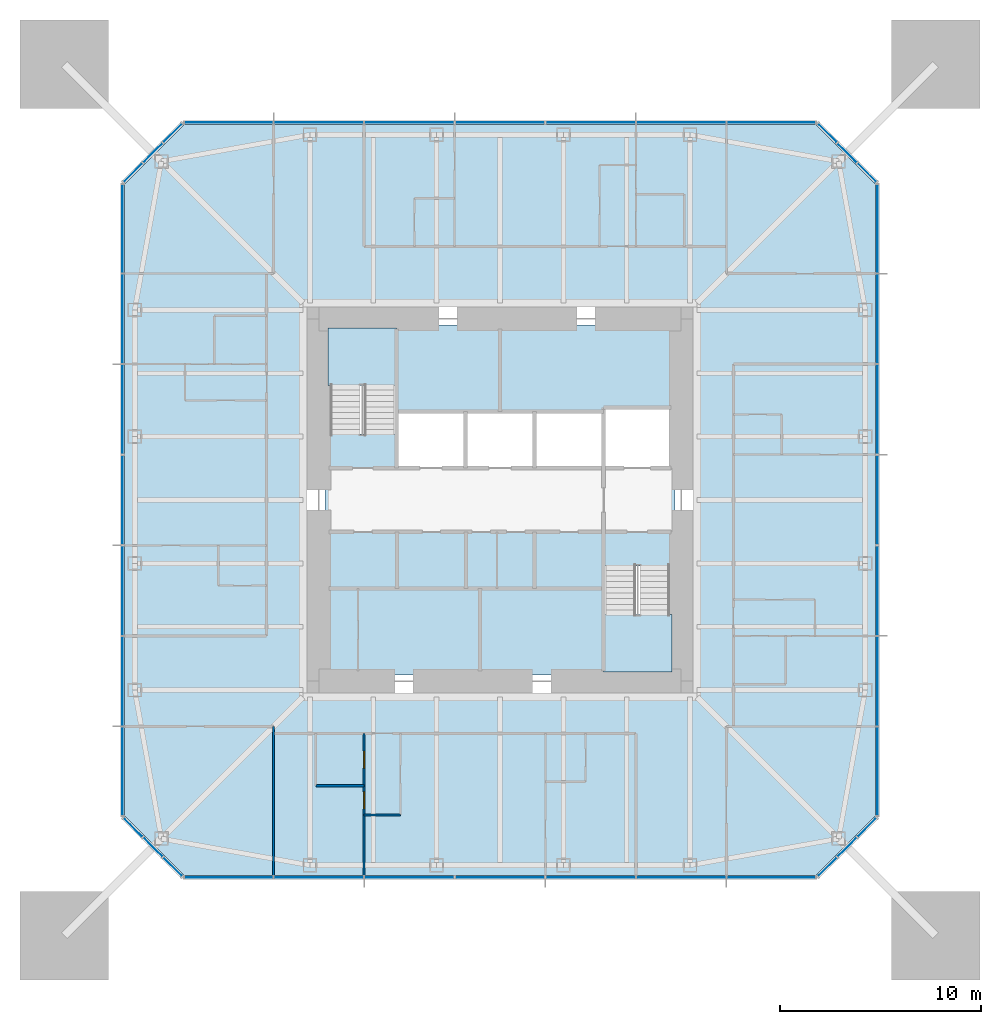
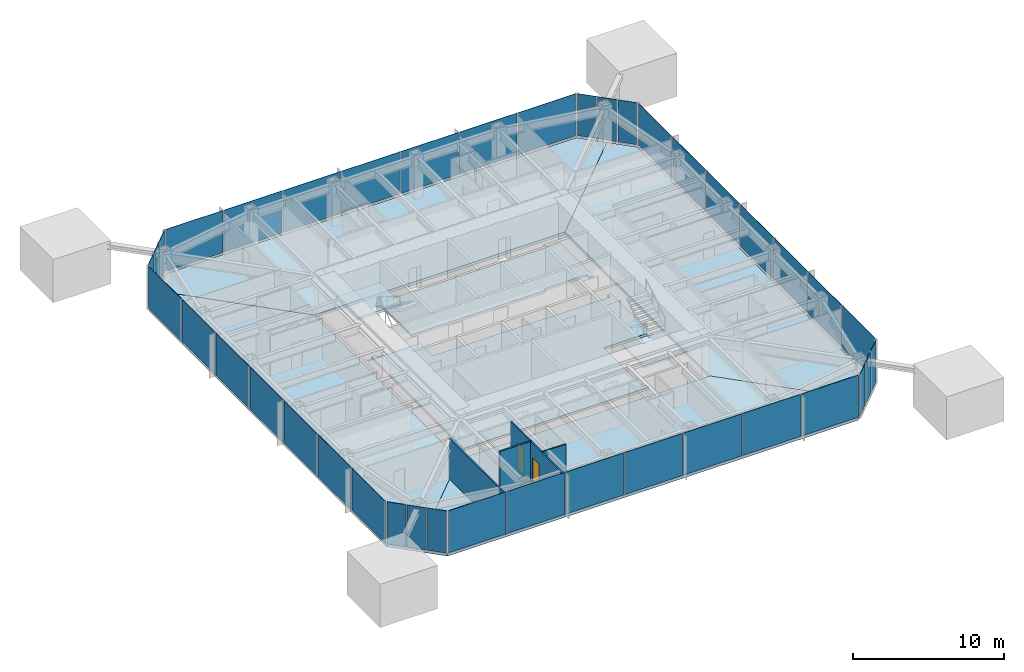
# One storey, part 5 of 11: 40 plates, 8 slabs, 4 walls, 2 doors, 2 openings, 10 elements without a shape of their own.
"""IFC4 building model written with IfcOpenShell, lengths in metres."""

from ifc_helpers import new_model, si_unit, direction, frame, frame_2d, origin, origin_2d, place, context, subcontext, project, spatial, polyline, rectangle, outline, extrude, material, layer, layer_set, constituent, constituent_set, type_object, element, fill, aggregate, save


model = new_model("IFC4")

# Units and contexts
model_context = context("Model", 3, precision=1e-05, world=origin(), true_north=direction((0.0, 1.0)))
body_context = subcontext(model_context, "Body", "Model", "MODEL_VIEW")
ifc_project = project(units=[si_unit("LENGTHUNIT", "METRE"), si_unit("AREAUNIT", "SQUARE_METRE"), si_unit("VOLUMEUNIT", "CUBIC_METRE"), si_unit("PLANEANGLEUNIT", "RADIAN"), si_unit("MASSUNIT", "GRAM", prefix="KILO")], contexts=[model_context])

# Site, building, storey
site_placement = place(None, origin())
site = spatial("IfcSite", under=ifc_project, at=site_placement, CompositionType="ELEMENT")
building_placement = place(site_placement, origin())
building = spatial("IfcBuilding", under=site, at=building_placement, Name="Iwan Alto Co-Living Towers", CompositionType="ELEMENT")
storey_placement = place(building_placement, frame((0.0, 0.0, 174.0)))
storey = spatial("IfcBuildingStorey", under=building, at=storey_placement, Name="L47", CompositionType="ELEMENT", Elevation=174.0)

# Slabs
ifc_material_1 = material(Name="Concrete f'c 30 MPa", Category="concrete")
ifc_layer_1 = layer(ifc_material_1, 0.199951171875)
ifc_layer_set_1 = layer_set([ifc_layer_1], Name="CORE FLOOR SLAB 200")
slab_type_1 = type_object("IfcSlabType", Name="CORE FLOOR SLAB 200", PredefinedType="FLOOR", material=ifc_layer_set_1)
slab_1_placement = place(storey_placement, frame((0.0, 0.0, -0.199951171875)))
element("IfcSlab", 1, at=slab_1_placement, inside=storey, type_object=slab_type_1, Name="T1 core floor L47", PredefinedType="FLOOR", context=body_context, shape_type="SweptSolid", body=[
    extrude(outline(polyline([(5.14990234375, -8.39990234375), (5.4599609375, -8.39990234375), (5.4599609375, -8.699951171875), (-8.699951171875, -8.699951171875), (-8.699951171875, 3.580078125), (-8.39990234375, 3.580078125), (-8.39990234375, 3.27001953125), (-5.14990234375, 3.27001953125), (-5.14990234375, 1.60009765625), (-1.717041015625, 1.60009765625), (1.717041015625, 1.60009765625), (5.14990234375, 1.60009765625), (8.39990234375, 1.60009765625), (8.39990234375, 1.909912109375), (8.699951171875, 1.909912109375), (8.699951171875, -3.580078125), (8.39990234375, -3.580078125), (8.39990234375, -3.27001953125), (5.14990234375, -3.27001953125), (5.14990234375, -8.39990234375)])), origin(), (0.0, 0.0, 1.0), 0.199951171875),
])
slab_2_placement = place(storey_placement, frame((0.0, 0.0, -0.199951171875)))
element("IfcSlab", 2, at=slab_2_placement, inside=storey, type_object=slab_type_1, Name="T1 core floor L47", PredefinedType="FLOOR", context=body_context, shape_type="SweptSolid", body=[
    extrude(outline(polyline([(1.717041015625, 4.39990234375), (-1.717041015625, 4.39990234375), (-5.14990234375, 4.39990234375), (-5.14990234375, 8.39990234375), (-5.4599609375, 8.39990234375), (-5.4599609375, 8.699951171875), (8.699951171875, 8.699951171875), (8.699951171875, 4.2900390625), (8.39990234375, 4.2900390625), (8.39990234375, 4.60009765625), (5.14990234375, 4.60009765625), (5.14990234375, 4.39990234375), (1.717041015625, 4.39990234375)])), origin(), (0.0, 0.0, 1.0), 0.199951171875),
])

# Curtain wall, plates
ifc_material_2 = material(Name="Bronze aluminium unitised frame", Category="aluminium")
curtain_wall_type_1 = type_object("IfcCurtainWallType", Name="CURTAIN WALL CW-A", PredefinedType="NOTDEFINED", material=ifc_material_2)
curtain_wall_1_placement = place(storey_placement, origin())
curtain_wall_1 = element("IfcCurtainWall", 3, at=curtain_wall_1_placement, inside=storey, type_object=curtain_wall_type_1, Name="T1 curtain wall S L47", PredefinedType="NOTDEFINED")
ifc_material_3 = material(Name="Bronze-tinted insulating glass", Category="glass")
ifc_layer_2 = layer(ifc_material_3, 0.031982421875)
ifc_layer_set_2 = layer_set([ifc_layer_2], Name="CW-A PANEL TINTED IGU 32")
plate_type_1 = type_object("IfcPlateType", Name="CW-A PANEL TINTED IGU 32", PredefinedType="CURTAIN_PANEL", material=ifc_layer_set_2)
plate_1_placement = place(storey_placement, frame((-13.47998046875, -18.75, 0.10009765625), z_axis=(0.0, 0.0, 1.0), x_axis=(1.0, 0.0, 0.0)))
plate_1 = element("IfcPlate", 4, at=plate_1_placement, type_object=plate_type_1, Name="CW-A panel 1.1", PredefinedType="CURTAIN_PANEL", context=body_context, shape_type="SweptSolid", body=[
    extrude(rectangle(XDim=4.3798828125, YDim=0.031982421875, at=origin_2d()), origin(), (0.0, 0.0, 1.0), 3.39990234375),
])
plate_2_placement = place(storey_placement, frame((-9.0, -18.75, 0.10009765625), z_axis=(0.0, 0.0, 1.0), x_axis=(1.0, 0.0, 0.0)))
plate_2 = element("IfcPlate", 5, at=plate_2_placement, type_object=plate_type_1, Name="CW-A panel 2.1", PredefinedType="CURTAIN_PANEL", context=body_context, shape_type="SweptSolid", body=[
    extrude(rectangle(XDim=4.419921875, YDim=0.031982421875, at=origin_2d()), origin(), (0.0, 0.0, 1.0), 3.39990234375),
])
plate_3_placement = place(storey_placement, frame((-4.5, -18.75, 0.10009765625), z_axis=(0.0, 0.0, 1.0), x_axis=(1.0, 0.0, 0.0)))
plate_3 = element("IfcPlate", 6, at=plate_3_placement, type_object=plate_type_1, Name="CW-A panel 3.1", PredefinedType="CURTAIN_PANEL", context=body_context, shape_type="SweptSolid", body=[
    extrude(rectangle(XDim=4.419921875, YDim=0.031982421875, at=origin_2d()), origin(), (0.0, 0.0, 1.0), 3.39990234375),
])
plate_4_placement = place(storey_placement, frame((0.0, -18.75, 0.10009765625), z_axis=(0.0, 0.0, 1.0), x_axis=(1.0, 0.0, 0.0)))
plate_4 = element("IfcPlate", 7, at=plate_4_placement, type_object=plate_type_1, Name="CW-A panel 4.1", PredefinedType="CURTAIN_PANEL", context=body_context, shape_type="SweptSolid", body=[
    extrude(rectangle(XDim=4.419921875, YDim=0.031982421875, at=origin_2d()), origin(), (0.0, 0.0, 1.0), 3.39990234375),
])
plate_5_placement = place(storey_placement, frame((4.5, -18.75, 0.10009765625), z_axis=(0.0, 0.0, 1.0), x_axis=(1.0, 0.0, 0.0)))
plate_5 = element("IfcPlate", 8, at=plate_5_placement, type_object=plate_type_1, Name="CW-A panel 5.1", PredefinedType="CURTAIN_PANEL", context=body_context, shape_type="SweptSolid", body=[
    extrude(rectangle(XDim=4.419921875, YDim=0.031982421875, at=origin_2d()), origin(), (0.0, 0.0, 1.0), 3.39990234375),
])
plate_6_placement = place(storey_placement, frame((9.0, -18.75, 0.10009765625), z_axis=(0.0, 0.0, 1.0), x_axis=(1.0, 0.0, 0.0)))
plate_6 = element("IfcPlate", 9, at=plate_6_placement, type_object=plate_type_1, Name="CW-A panel 6.1", PredefinedType="CURTAIN_PANEL", context=body_context, shape_type="SweptSolid", body=[
    extrude(rectangle(XDim=4.419921875, YDim=0.031982421875, at=origin_2d()), origin(), (0.0, 0.0, 1.0), 3.39990234375),
])
plate_7_placement = place(storey_placement, frame((13.47998046875, -18.75, 0.10009765625), z_axis=(0.0, 0.0, 1.0), x_axis=(1.0, 0.0, 0.0)))
plate_7 = element("IfcPlate", 10, at=plate_7_placement, type_object=plate_type_1, Name="CW-A panel 7.1", PredefinedType="CURTAIN_PANEL", context=body_context, shape_type="SweptSolid", body=[
    extrude(rectangle(XDim=4.3798828125, YDim=0.031982421875, at=origin_2d()), origin(), (0.0, 0.0, 1.0), 3.39990234375),
])
aggregate(curtain_wall_1, [plate_1, plate_2, plate_3, plate_4, plate_5, plate_6, plate_7])

curtain_wall_2_placement = place(storey_placement, origin())
curtain_wall_2 = element("IfcCurtainWall", 11, at=curtain_wall_2_placement, inside=storey, type_object=curtain_wall_type_1, Name="T1 curtain wall E L47", PredefinedType="NOTDEFINED")
plate_8_placement = place(storey_placement, frame((18.75, -13.47998046875, 0.10009765625), z_axis=(0.0, 0.0, 1.0), x_axis=(0.0, 1.0, 0.0)))
plate_8 = element("IfcPlate", 12, at=plate_8_placement, type_object=plate_type_1, Name="CW-A panel 1.1", PredefinedType="CURTAIN_PANEL", context=body_context, shape_type="SweptSolid", body=[
    extrude(rectangle(XDim=4.3798828125, YDim=0.031982421875, at=origin_2d()), origin(), (0.0, 0.0, 1.0), 3.39990234375),
])
plate_9_placement = place(storey_placement, frame((18.75, -9.0, 0.10009765625), z_axis=(0.0, 0.0, 1.0), x_axis=(0.0, 1.0, 0.0)))
plate_9 = element("IfcPlate", 13, at=plate_9_placement, type_object=plate_type_1, Name="CW-A panel 2.1", PredefinedType="CURTAIN_PANEL", context=body_context, shape_type="SweptSolid", body=[
    extrude(rectangle(XDim=4.419921875, YDim=0.031982421875, at=origin_2d()), origin(), (0.0, 0.0, 1.0), 3.39990234375),
])
plate_10_placement = place(storey_placement, frame((18.75, -4.5, 0.10009765625), z_axis=(0.0, 0.0, 1.0), x_axis=(0.0, 1.0, 0.0)))
plate_10 = element("IfcPlate", 14, at=plate_10_placement, type_object=plate_type_1, Name="CW-A panel 3.1", PredefinedType="CURTAIN_PANEL", context=body_context, shape_type="SweptSolid", body=[
    extrude(rectangle(XDim=4.419921875, YDim=0.031982421875, at=origin_2d()), origin(), (0.0, 0.0, 1.0), 3.39990234375),
])
plate_11_placement = place(storey_placement, frame((18.75, 0.0, 0.10009765625), z_axis=(0.0, 0.0, 1.0), x_axis=(0.0, 1.0, 0.0)))
plate_11 = element("IfcPlate", 15, at=plate_11_placement, type_object=plate_type_1, Name="CW-A panel 4.1", PredefinedType="CURTAIN_PANEL", context=body_context, shape_type="SweptSolid", body=[
    extrude(rectangle(XDim=4.419921875, YDim=0.031982421875, at=origin_2d()), origin(), (0.0, 0.0, 1.0), 3.39990234375),
])
plate_12_placement = place(storey_placement, frame((18.75, 4.5, 0.10009765625), z_axis=(0.0, 0.0, 1.0), x_axis=(0.0, 1.0, 0.0)))
plate_12 = element("IfcPlate", 16, at=plate_12_placement, type_object=plate_type_1, Name="CW-A panel 5.1", PredefinedType="CURTAIN_PANEL", context=body_context, shape_type="SweptSolid", body=[
    extrude(rectangle(XDim=4.419921875, YDim=0.031982421875, at=origin_2d()), origin(), (0.0, 0.0, 1.0), 3.39990234375),
])
plate_13_placement = place(storey_placement, frame((18.75, 9.0, 0.10009765625), z_axis=(0.0, 0.0, 1.0), x_axis=(0.0, 1.0, 0.0)))
plate_13 = element("IfcPlate", 17, at=plate_13_placement, type_object=plate_type_1, Name="CW-A panel 6.1", PredefinedType="CURTAIN_PANEL", context=body_context, shape_type="SweptSolid", body=[
    extrude(rectangle(XDim=4.419921875, YDim=0.031982421875, at=origin_2d()), origin(), (0.0, 0.0, 1.0), 3.39990234375),
])
plate_14_placement = place(storey_placement, frame((18.75, 13.47998046875, 0.10009765625), z_axis=(0.0, 0.0, 1.0), x_axis=(0.0, 1.0, 0.0)))
plate_14 = element("IfcPlate", 18, at=plate_14_placement, type_object=plate_type_1, Name="CW-A panel 7.1", PredefinedType="CURTAIN_PANEL", context=body_context, shape_type="SweptSolid", body=[
    extrude(rectangle(XDim=4.3798828125, YDim=0.031982421875, at=origin_2d()), origin(), (0.0, 0.0, 1.0), 3.39990234375),
])
aggregate(curtain_wall_2, [plate_8, plate_9, plate_10, plate_11, plate_12, plate_13, plate_14])

curtain_wall_3_placement = place(storey_placement, origin())
curtain_wall_3 = element("IfcCurtainWall", 19, at=curtain_wall_3_placement, inside=storey, type_object=curtain_wall_type_1, Name="T1 curtain wall N L47", PredefinedType="NOTDEFINED")
plate_15_placement = place(storey_placement, frame((13.47998046875, 18.75, 0.10009765625), z_axis=(0.0, 0.0, 1.0), x_axis=(-1.0, 0.0, 0.0)))
plate_15 = element("IfcPlate", 20, at=plate_15_placement, type_object=plate_type_1, Name="CW-A panel 1.1", PredefinedType="CURTAIN_PANEL", context=body_context, shape_type="SweptSolid", body=[
    extrude(rectangle(XDim=4.3798828125, YDim=0.031982421875, at=origin_2d()), origin(), (0.0, 0.0, 1.0), 3.39990234375),
])
plate_16_placement = place(storey_placement, frame((9.0, 18.75, 0.10009765625), z_axis=(0.0, 0.0, 1.0), x_axis=(-1.0, 0.0, 0.0)))
plate_16 = element("IfcPlate", 21, at=plate_16_placement, type_object=plate_type_1, Name="CW-A panel 2.1", PredefinedType="CURTAIN_PANEL", context=body_context, shape_type="SweptSolid", body=[
    extrude(rectangle(XDim=4.419921875, YDim=0.031982421875, at=origin_2d()), origin(), (0.0, 0.0, 1.0), 3.39990234375),
])
plate_17_placement = place(storey_placement, frame((4.5, 18.75, 0.10009765625), z_axis=(0.0, 0.0, 1.0), x_axis=(-1.0, 0.0, 0.0)))
plate_17 = element("IfcPlate", 22, at=plate_17_placement, type_object=plate_type_1, Name="CW-A panel 3.1", PredefinedType="CURTAIN_PANEL", context=body_context, shape_type="SweptSolid", body=[
    extrude(rectangle(XDim=4.419921875, YDim=0.031982421875, at=origin_2d()), origin(), (0.0, 0.0, 1.0), 3.39990234375),
])
plate_18_placement = place(storey_placement, frame((0.0, 18.75, 0.10009765625), z_axis=(0.0, 0.0, 1.0), x_axis=(-1.0, 0.0, 0.0)))
plate_18 = element("IfcPlate", 23, at=plate_18_placement, type_object=plate_type_1, Name="CW-A panel 4.1", PredefinedType="CURTAIN_PANEL", context=body_context, shape_type="SweptSolid", body=[
    extrude(rectangle(XDim=4.419921875, YDim=0.031982421875, at=origin_2d()), origin(), (0.0, 0.0, 1.0), 3.39990234375),
])
plate_19_placement = place(storey_placement, frame((-4.5, 18.75, 0.10009765625), z_axis=(0.0, 0.0, 1.0), x_axis=(-1.0, 0.0, 0.0)))
plate_19 = element("IfcPlate", 24, at=plate_19_placement, type_object=plate_type_1, Name="CW-A panel 5.1", PredefinedType="CURTAIN_PANEL", context=body_context, shape_type="SweptSolid", body=[
    extrude(rectangle(XDim=4.419921875, YDim=0.031982421875, at=origin_2d()), origin(), (0.0, 0.0, 1.0), 3.39990234375),
])
plate_20_placement = place(storey_placement, frame((-9.0, 18.75, 0.10009765625), z_axis=(0.0, 0.0, 1.0), x_axis=(-1.0, 0.0, 0.0)))
plate_20 = element("IfcPlate", 25, at=plate_20_placement, type_object=plate_type_1, Name="CW-A panel 6.1", PredefinedType="CURTAIN_PANEL", context=body_context, shape_type="SweptSolid", body=[
    extrude(rectangle(XDim=4.419921875, YDim=0.031982421875, at=origin_2d()), origin(), (0.0, 0.0, 1.0), 3.39990234375),
])
plate_21_placement = place(storey_placement, frame((-13.47998046875, 18.75, 0.10009765625), z_axis=(0.0, 0.0, 1.0), x_axis=(-1.0, 0.0, 0.0)))
plate_21 = element("IfcPlate", 26, at=plate_21_placement, type_object=plate_type_1, Name="CW-A panel 7.1", PredefinedType="CURTAIN_PANEL", context=body_context, shape_type="SweptSolid", body=[
    extrude(rectangle(XDim=4.3798828125, YDim=0.031982421875, at=origin_2d()), origin(), (0.0, 0.0, 1.0), 3.39990234375),
])
aggregate(curtain_wall_3, [plate_15, plate_16, plate_17, plate_18, plate_19, plate_20, plate_21])

curtain_wall_4_placement = place(storey_placement, origin())
curtain_wall_4 = element("IfcCurtainWall", 27, at=curtain_wall_4_placement, inside=storey, type_object=curtain_wall_type_1, Name="T1 curtain wall W L47", PredefinedType="NOTDEFINED")
plate_22_placement = place(storey_placement, frame((-18.75, 13.47998046875, 0.10009765625), z_axis=(0.0, 0.0, 1.0), x_axis=(0.0, -1.0, 0.0)))
plate_22 = element("IfcPlate", 28, at=plate_22_placement, type_object=plate_type_1, Name="CW-A panel 1.1", PredefinedType="CURTAIN_PANEL", context=body_context, shape_type="SweptSolid", body=[
    extrude(rectangle(XDim=4.3798828125, YDim=0.031982421875, at=origin_2d()), origin(), (0.0, 0.0, 1.0), 3.39990234375),
])
plate_23_placement = place(storey_placement, frame((-18.75, 9.0, 0.10009765625), z_axis=(0.0, 0.0, 1.0), x_axis=(0.0, -1.0, 0.0)))
plate_23 = element("IfcPlate", 29, at=plate_23_placement, type_object=plate_type_1, Name="CW-A panel 2.1", PredefinedType="CURTAIN_PANEL", context=body_context, shape_type="SweptSolid", body=[
    extrude(rectangle(XDim=4.419921875, YDim=0.031982421875, at=origin_2d()), origin(), (0.0, 0.0, 1.0), 3.39990234375),
])
plate_24_placement = place(storey_placement, frame((-18.75, 4.5, 0.10009765625), z_axis=(0.0, 0.0, 1.0), x_axis=(0.0, -1.0, 0.0)))
plate_24 = element("IfcPlate", 30, at=plate_24_placement, type_object=plate_type_1, Name="CW-A panel 3.1", PredefinedType="CURTAIN_PANEL", context=body_context, shape_type="SweptSolid", body=[
    extrude(rectangle(XDim=4.419921875, YDim=0.031982421875, at=origin_2d()), origin(), (0.0, 0.0, 1.0), 3.39990234375),
])
plate_25_placement = place(storey_placement, frame((-18.75, 0.0, 0.10009765625), z_axis=(0.0, 0.0, 1.0), x_axis=(0.0, -1.0, 0.0)))
plate_25 = element("IfcPlate", 31, at=plate_25_placement, type_object=plate_type_1, Name="CW-A panel 4.1", PredefinedType="CURTAIN_PANEL", context=body_context, shape_type="SweptSolid", body=[
    extrude(rectangle(XDim=4.419921875, YDim=0.031982421875, at=origin_2d()), origin(), (0.0, 0.0, 1.0), 3.39990234375),
])
plate_26_placement = place(storey_placement, frame((-18.75, -4.5, 0.10009765625), z_axis=(0.0, 0.0, 1.0), x_axis=(0.0, -1.0, 0.0)))
plate_26 = element("IfcPlate", 32, at=plate_26_placement, type_object=plate_type_1, Name="CW-A panel 5.1", PredefinedType="CURTAIN_PANEL", context=body_context, shape_type="SweptSolid", body=[
    extrude(rectangle(XDim=4.419921875, YDim=0.031982421875, at=origin_2d()), origin(), (0.0, 0.0, 1.0), 3.39990234375),
])
plate_27_placement = place(storey_placement, frame((-18.75, -9.0, 0.10009765625), z_axis=(0.0, 0.0, 1.0), x_axis=(0.0, -1.0, 0.0)))
plate_27 = element("IfcPlate", 33, at=plate_27_placement, type_object=plate_type_1, Name="CW-A panel 6.1", PredefinedType="CURTAIN_PANEL", context=body_context, shape_type="SweptSolid", body=[
    extrude(rectangle(XDim=4.419921875, YDim=0.031982421875, at=origin_2d()), origin(), (0.0, 0.0, 1.0), 3.39990234375),
])
plate_28_placement = place(storey_placement, frame((-18.75, -13.47998046875, 0.10009765625), z_axis=(0.0, 0.0, 1.0), x_axis=(0.0, -1.0, 0.0)))
plate_28 = element("IfcPlate", 34, at=plate_28_placement, type_object=plate_type_1, Name="CW-A panel 7.1", PredefinedType="CURTAIN_PANEL", context=body_context, shape_type="SweptSolid", body=[
    extrude(rectangle(XDim=4.3798828125, YDim=0.031982421875, at=origin_2d()), origin(), (0.0, 0.0, 1.0), 3.39990234375),
])
aggregate(curtain_wall_4, [plate_22, plate_23, plate_24, plate_25, plate_26, plate_27, plate_28])

ifc_material_4 = material(Name="Bronze aluminium unitised frame", Category="aluminium")
curtain_wall_type_2 = type_object("IfcCurtainWallType", Name="CURTAIN WALL CW-B", PredefinedType="NOTDEFINED", material=ifc_material_4)
curtain_wall_5_placement = place(storey_placement, origin())
curtain_wall_5 = element("IfcCurtainWall", 35, at=curtain_wall_5_placement, inside=storey, type_object=curtain_wall_type_2, Name="T1 chamfer curtain wall SE L47", PredefinedType="NOTDEFINED")
ifc_material_5 = material(Name="Bronze-tinted insulating glass", Category="glass")
ifc_layer_3 = layer(ifc_material_5, 0.031982421875)
ifc_layer_set_3 = layer_set([ifc_layer_3], Name="CW-B PANEL TINTED IGU 32")
plate_type_2 = type_object("IfcPlateType", Name="CW-B PANEL TINTED IGU 32", PredefinedType="CURTAIN_PANEL", material=ifc_layer_set_3)
plate_29_placement = place(storey_placement, frame((16.26416015625, -18.23583984375, 0.10009765625), z_axis=(0.0, 0.0, 1.0), x_axis=(0.707106781187, 0.707106781187, 0.0)))
plate_29 = element("IfcPlate", 36, at=plate_29_placement, type_object=plate_type_2, Name="CW-B panel 1.1", PredefinedType="CURTAIN_PANEL", context=body_context, shape_type="SweptSolid", body=[
    extrude(rectangle(XDim=1.294189453125, YDim=0.031982421875, at=origin_2d()), origin(), (0.0, 0.0, 1.0), 3.39990234375),
])
plate_30_placement = place(storey_placement, frame((17.25, -17.25, 0.10009765625), z_axis=(0.0, 0.0, 1.0), x_axis=(0.707106781187, 0.707106781187, 0.0)))
plate_30 = element("IfcPlate", 37, at=plate_30_placement, type_object=plate_type_2, Name="CW-B panel 2.1", PredefinedType="CURTAIN_PANEL", context=body_context, shape_type="SweptSolid", body=[
    extrude(rectangle(XDim=1.334228515625, YDim=0.031982421875, at=origin_2d()), origin(), (0.0, 0.0, 1.0), 3.39990234375),
])
plate_31_placement = place(storey_placement, frame((18.23583984375, -16.26416015625, 0.10009765625), z_axis=(0.0, 0.0, 1.0), x_axis=(0.707106781187, 0.707106781187, 0.0)))
plate_31 = element("IfcPlate", 38, at=plate_31_placement, type_object=plate_type_2, Name="CW-B panel 3.1", PredefinedType="CURTAIN_PANEL", context=body_context, shape_type="SweptSolid", body=[
    extrude(rectangle(XDim=1.294189453125, YDim=0.031982421875, at=origin_2d()), origin(), (0.0, 0.0, 1.0), 3.39990234375),
])
aggregate(curtain_wall_5, [plate_29, plate_30, plate_31])

curtain_wall_6_placement = place(storey_placement, origin())
curtain_wall_6 = element("IfcCurtainWall", 39, at=curtain_wall_6_placement, inside=storey, type_object=curtain_wall_type_2, Name="T1 chamfer curtain wall NE L47", PredefinedType="NOTDEFINED")
plate_32_placement = place(storey_placement, frame((18.23583984375, 16.26416015625, 0.10009765625), z_axis=(0.0, 0.0, 1.0), x_axis=(-0.707106781187, 0.707106781187, 0.0)))
plate_32 = element("IfcPlate", 40, at=plate_32_placement, type_object=plate_type_2, Name="CW-B panel 1.1", PredefinedType="CURTAIN_PANEL", context=body_context, shape_type="SweptSolid", body=[
    extrude(rectangle(XDim=1.294189453125, YDim=0.031982421875, at=origin_2d()), origin(), (0.0, 0.0, 1.0), 3.39990234375),
])
plate_33_placement = place(storey_placement, frame((17.25, 17.25, 0.10009765625), z_axis=(0.0, 0.0, 1.0), x_axis=(-0.707106781187, 0.707106781187, 0.0)))
plate_33 = element("IfcPlate", 41, at=plate_33_placement, type_object=plate_type_2, Name="CW-B panel 2.1", PredefinedType="CURTAIN_PANEL", context=body_context, shape_type="SweptSolid", body=[
    extrude(rectangle(XDim=1.334228515625, YDim=0.031982421875, at=origin_2d()), origin(), (0.0, 0.0, 1.0), 3.39990234375),
])
plate_34_placement = place(storey_placement, frame((16.26416015625, 18.23583984375, 0.10009765625), z_axis=(0.0, 0.0, 1.0), x_axis=(-0.707106781187, 0.707106781187, 0.0)))
plate_34 = element("IfcPlate", 42, at=plate_34_placement, type_object=plate_type_2, Name="CW-B panel 3.1", PredefinedType="CURTAIN_PANEL", context=body_context, shape_type="SweptSolid", body=[
    extrude(rectangle(XDim=1.294189453125, YDim=0.031982421875, at=origin_2d()), origin(), (0.0, 0.0, 1.0), 3.39990234375),
])
aggregate(curtain_wall_6, [plate_32, plate_33, plate_34])

curtain_wall_7_placement = place(storey_placement, origin())
curtain_wall_7 = element("IfcCurtainWall", 43, at=curtain_wall_7_placement, inside=storey, type_object=curtain_wall_type_2, Name="T1 chamfer curtain wall NW L47", PredefinedType="NOTDEFINED")
plate_35_placement = place(storey_placement, frame((-16.26416015625, 18.23583984375, 0.10009765625), z_axis=(0.0, 0.0, 1.0), x_axis=(-0.707106781187, -0.707106781187, 0.0)))
plate_35 = element("IfcPlate", 44, at=plate_35_placement, type_object=plate_type_2, Name="CW-B panel 1.1", PredefinedType="CURTAIN_PANEL", context=body_context, shape_type="SweptSolid", body=[
    extrude(rectangle(XDim=1.294189453125, YDim=0.031982421875, at=origin_2d()), origin(), (0.0, 0.0, 1.0), 3.39990234375),
])
plate_36_placement = place(storey_placement, frame((-17.25, 17.25, 0.10009765625), z_axis=(0.0, 0.0, 1.0), x_axis=(-0.707106781187, -0.707106781187, 0.0)))
plate_36 = element("IfcPlate", 45, at=plate_36_placement, type_object=plate_type_2, Name="CW-B panel 2.1", PredefinedType="CURTAIN_PANEL", context=body_context, shape_type="SweptSolid", body=[
    extrude(rectangle(XDim=1.334228515625, YDim=0.031982421875, at=origin_2d()), origin(), (0.0, 0.0, 1.0), 3.39990234375),
])
plate_37_placement = place(storey_placement, frame((-18.23583984375, 16.26416015625, 0.10009765625), z_axis=(0.0, 0.0, 1.0), x_axis=(-0.707106781187, -0.707106781187, 0.0)))
plate_37 = element("IfcPlate", 46, at=plate_37_placement, type_object=plate_type_2, Name="CW-B panel 3.1", PredefinedType="CURTAIN_PANEL", context=body_context, shape_type="SweptSolid", body=[
    extrude(rectangle(XDim=1.294189453125, YDim=0.031982421875, at=origin_2d()), origin(), (0.0, 0.0, 1.0), 3.39990234375),
])
aggregate(curtain_wall_7, [plate_35, plate_36, plate_37])

curtain_wall_8_placement = place(storey_placement, origin())
curtain_wall_8 = element("IfcCurtainWall", 47, at=curtain_wall_8_placement, inside=storey, type_object=curtain_wall_type_2, Name="T1 chamfer curtain wall SW L47", PredefinedType="NOTDEFINED")
plate_38_placement = place(storey_placement, frame((-18.23583984375, -16.26416015625, 0.10009765625), z_axis=(0.0, 0.0, 1.0), x_axis=(0.707106781187, -0.707106781187, 0.0)))
plate_38 = element("IfcPlate", 48, at=plate_38_placement, type_object=plate_type_2, Name="CW-B panel 1.1", PredefinedType="CURTAIN_PANEL", context=body_context, shape_type="SweptSolid", body=[
    extrude(rectangle(XDim=1.294189453125, YDim=0.031982421875, at=origin_2d()), origin(), (0.0, 0.0, 1.0), 3.39990234375),
])
plate_39_placement = place(storey_placement, frame((-17.25, -17.25, 0.10009765625), z_axis=(0.0, 0.0, 1.0), x_axis=(0.707106781187, -0.707106781187, 0.0)))
plate_39 = element("IfcPlate", 49, at=plate_39_placement, type_object=plate_type_2, Name="CW-B panel 2.1", PredefinedType="CURTAIN_PANEL", context=body_context, shape_type="SweptSolid", body=[
    extrude(rectangle(XDim=1.334228515625, YDim=0.031982421875, at=origin_2d()), origin(), (0.0, 0.0, 1.0), 3.39990234375),
])
plate_40_placement = place(storey_placement, frame((-16.26416015625, -18.23583984375, 0.10009765625), z_axis=(0.0, 0.0, 1.0), x_axis=(0.707106781187, -0.707106781187, 0.0)))
plate_40 = element("IfcPlate", 50, at=plate_40_placement, type_object=plate_type_2, Name="CW-B panel 3.1", PredefinedType="CURTAIN_PANEL", context=body_context, shape_type="SweptSolid", body=[
    extrude(rectangle(XDim=1.294189453125, YDim=0.031982421875, at=origin_2d()), origin(), (0.0, 0.0, 1.0), 3.39990234375),
])
aggregate(curtain_wall_8, [plate_38, plate_39, plate_40])

# Stair, slab
ifc_material_6 = material(Name="Steel ASTM A36", Category="steel")
ifc_constituent_1 = constituent(ifc_material_6, Name="Stringers", Category="LoadBearing")
ifc_material_7 = material(Name="Concrete f'c 30 MPa", Category="concrete")
ifc_constituent_2 = constituent(ifc_material_7, Name="Tread fill", Category="Finish")
ifc_constituent_set = constituent_set(constituents=[ifc_constituent_1, ifc_constituent_2], Name="STAIR 3500 TWO-FLIGHT T1 CORE")
stair_type = type_object("IfcStairType", Name="STAIR 3500 TWO-FLIGHT T1 CORE", PredefinedType="HALF_TURN_STAIR", material=ifc_constituent_set)
stair_1_placement = place(storey_placement, origin())
stair_1 = element("IfcStair", 51, at=stair_1_placement, inside=storey, type_object=stair_type, Name="Stair T1-S1 L47 to L48", PredefinedType="HALF_TURN_STAIR")
ifc_material_8 = material(Name="Concrete f'c 30 MPa", Category="concrete")
ifc_layer_4 = layer(ifc_material_8, 0.199951171875)
ifc_layer_set_4 = layer_set([ifc_layer_4], Name="STAIR LANDING 200")
slab_type_2 = type_object("IfcSlabType", Name="STAIR LANDING 200", PredefinedType="LANDING", material=ifc_layer_set_4)
slab_3_placement = place(storey_placement, frame((0.0, 0.0, 1.550048828125)))
slab_3 = element("IfcSlab", 52, at=slab_3_placement, type_object=slab_type_2, Name="T1-S1 landing 1", PredefinedType="LANDING", context=body_context, shape_type="SweptSolid", body=[
    extrude(outline(polyline([(-8.550048828125, 5.68994140625), (-8.550048828125, 8.550048828125), (-5.14990234375, 8.550048828125), (-5.14990234375, 5.68994140625), (-8.550048828125, 5.68994140625)])), origin(), (0.0, 0.0, 1.0), 0.199951171875),
])
aggregate(stair_1, [slab_3])

stair_2_placement = place(storey_placement, origin())
stair_2 = element("IfcStair", 53, at=stair_2_placement, inside=storey, type_object=stair_type, Name="Stair T1-S2 L47 to L48", PredefinedType="HALF_TURN_STAIR")
slab_4_placement = place(storey_placement, frame((0.0, 0.0, 1.550048828125)))
slab_4 = element("IfcSlab", 54, at=slab_4_placement, type_object=slab_type_2, Name="T1-S2 landing 1", PredefinedType="LANDING", context=body_context, shape_type="SweptSolid", body=[
    extrude(outline(polyline([(5.14990234375, -5.68994140625), (5.14990234375, -8.550048828125), (8.550048828125, -8.550048828125), (8.550048828125, -5.68994140625), (5.14990234375, -5.68994140625)])), origin(), (0.0, 0.0, 1.0), 0.199951171875),
])
aggregate(stair_2, [slab_4])

# Slabs
ifc_material_9 = material(Name="Concrete f'c 30 MPa", Category="concrete")
ifc_layer_5 = layer(ifc_material_9, 0.22998046875)
ifc_layer_set_5 = layer_set([ifc_layer_5], Name="T1 FLOOR SLAB 230")
slab_type_3 = type_object("IfcSlabType", Name="T1 FLOOR SLAB 230", PredefinedType="FLOOR", material=ifc_layer_set_5)
slab_5_placement = place(storey_placement, frame((0.0, 0.0, -0.22998046875)))
element("IfcSlab", 55, at=slab_5_placement, inside=storey, type_object=slab_type_3, Name="T1 floor slab L47 S pour", PredefinedType="FLOOR", context=body_context, shape_type="SweptSolid", body=[
    extrude(outline(polyline([(15.69140625, -18.64990234375), (-15.69140625, -18.64990234375), (-17.170654296875, -17.170654296875), (-9.60009765625, -9.60009765625), (9.60009765625, -9.60009765625), (17.170654296875, -17.170654296875), (15.69140625, -18.64990234375)])), origin(), (0.0, 0.0, 1.0), 0.22998046875),
])
slab_6_placement = place(storey_placement, frame((0.0, 0.0, -0.22998046875)))
element("IfcSlab", 56, at=slab_6_placement, inside=storey, type_object=slab_type_3, Name="T1 floor slab L47 E pour", PredefinedType="FLOOR", context=body_context, shape_type="SweptSolid", body=[
    extrude(outline(polyline([(18.64990234375, 15.69140625), (18.64990234375, -15.69140625), (17.170654296875, -17.170654296875), (9.60009765625, -9.60009765625), (9.60009765625, 9.60009765625), (17.170654296875, 17.170654296875), (18.64990234375, 15.69140625)])), origin(), (0.0, 0.0, 1.0), 0.22998046875),
])
slab_7_placement = place(storey_placement, frame((0.0, 0.0, -0.22998046875)))
element("IfcSlab", 57, at=slab_7_placement, inside=storey, type_object=slab_type_3, Name="T1 floor slab L47 N pour", PredefinedType="FLOOR", context=body_context, shape_type="SweptSolid", body=[
    extrude(outline(polyline([(-15.69140625, 18.64990234375), (15.69140625, 18.64990234375), (17.170654296875, 17.170654296875), (9.60009765625, 9.60009765625), (-9.60009765625, 9.60009765625), (-17.170654296875, 17.170654296875), (-15.69140625, 18.64990234375)])), origin(), (0.0, 0.0, 1.0), 0.22998046875),
])
slab_8_placement = place(storey_placement, frame((0.0, 0.0, -0.22998046875)))
element("IfcSlab", 58, at=slab_8_placement, inside=storey, type_object=slab_type_3, Name="T1 floor slab L47 W pour", PredefinedType="FLOOR", context=body_context, shape_type="SweptSolid", body=[
    extrude(outline(polyline([(-18.64990234375, 15.69140625), (-17.170654296875, 17.170654296875), (-9.60009765625, 9.60009765625), (-9.60009765625, -9.60009765625), (-17.170654296875, -17.170654296875), (-18.64990234375, -15.69140625), (-18.64990234375, 15.69140625)])), origin(), (0.0, 0.0, 1.0), 0.22998046875),
])

# Wall
ifc_material_10 = material(Name="Gypsum board")
ifc_layer_6 = layer(ifc_material_10, 0.012451171875, Name="Board", Category="Finish")
ifc_material_11 = material(Name="Steel ASTM A1003 ST33H cold-formed studs", Category="steel")
ifc_layer_7 = layer(ifc_material_11, 0.074951171875, Name="Studs", Category="Framing")
ifc_layer_8 = layer(ifc_material_10, 0.012451171875, Name="Board", Category="Finish")
ifc_layer_set_6 = layer_set([ifc_layer_6, ifc_layer_7, ifc_layer_8], Name="PARTITION 100")
wall_type_1 = type_object("IfcWallType", Name="PARTITION 100", PredefinedType="PARTITIONING", material=ifc_layer_set_6)
wall_1_placement = place(storey_placement, frame((-6.75, -15.64990234375, 0.0), z_axis=(0.0, 0.0, 1.0), x_axis=(1.0, 0.0, 0.0)))
element("IfcWall", 59, at=wall_1_placement, inside=storey, type_object=wall_type_1, Name="Partition L47", PredefinedType="PARTITIONING", context=body_context, shape_type="SweptSolid", body=[
    extrude(rectangle(XDim=1.800048828125, YDim=0.10009765625, at=frame_2d((0.89990234375, 0.0))), origin(), (0.0, 0.0, 1.0), 3.27001953125),
])

# Wall, openings, doors
wall_2_placement = place(storey_placement, frame((-6.75, -18.68994140625, 0.0), z_axis=(0.0, 0.0, 1.0), x_axis=(0.0, 1.0, 0.0)))
wall_2 = element("IfcWall", 60, at=wall_2_placement, inside=storey, type_object=wall_type_1, Name="Partition L47", PredefinedType="PARTITIONING", context=body_context, shape_type="SweptSolid", body=[
    extrude(rectangle(XDim=7.08984375, YDim=0.10009765625, at=frame_2d((3.544921875, 0.0))), origin(), (0.0, 0.0, 1.0), 3.27001953125),
])
opening_1_placement = place(wall_2_placement, frame((3.340087890625, 0.0, 0.0)))
opening_1 = element("IfcOpeningElement", 61, at=opening_1_placement, cuts=wall_2, Name="Opening D2", PredefinedType="OPENING", context=body_context, shape_type="SweptSolid", body=[
    extrude(rectangle(XDim=0.85009765625, YDim=2.10009765625, at=frame_2d((0.425048828125, 1.050048828125))), frame((0.0, 0.06005859375, 0.0), z_axis=(0.0, -1.0, 0.0), x_axis=(1.0, 0.0, 0.0)), (0.0, 0.0, 1.0), 0.1201171875),
])
opening_2_placement = place(wall_2_placement, frame((5.364990234375, 0.0, 0.0)))
opening_2 = element("IfcOpeningElement", 62, at=opening_2_placement, cuts=wall_2, Name="Opening D2", PredefinedType="OPENING", context=body_context, shape_type="SweptSolid", body=[
    extrude(rectangle(XDim=0.85009765625, YDim=2.10009765625, at=frame_2d((0.425048828125, 1.050048828125))), frame((0.0, 0.06005859375, 0.0), z_axis=(0.0, -1.0, 0.0), x_axis=(1.0, 0.0, 0.0)), (0.0, 0.0, 1.0), 0.1201171875),
])
ifc_material_12 = material(Name="Timber leaf in steel frame", Category="steel")
door_type = type_object("IfcDoorType", Name="ROOM DOOR 850X2100", OperationType="SINGLE_SWING_LEFT", PredefinedType="DOOR", material=ifc_material_12)
door_1_placement = place(opening_1_placement, origin())
door_1 = element("IfcDoor", 63, at=door_1_placement, inside=storey, type_object=door_type, Name="Bedroom door L47", OperationType="SINGLE_SWING_RIGHT", OverallHeight=2.10009765625, OverallWidth=0.85009765625, PredefinedType="DOOR", context=body_context, shape_type="SweptSolid", body=[
    extrude(rectangle(XDim=0.85009765625, YDim=2.10009765625, at=frame_2d((0.425048828125, 1.050048828125))), frame((0.0, 0.02490234375, 0.0), z_axis=(0.0, -1.0, 0.0), x_axis=(1.0, 0.0, 0.0)), (0.0, 0.0, 1.0), 0.050048828125),
])
fill(opening_1, door_1)
door_2_placement = place(opening_2_placement, origin())
door_2 = element("IfcDoor", 64, at=door_2_placement, inside=storey, type_object=door_type, Name="Bathroom door L47", OperationType="SINGLE_SWING_LEFT", OverallHeight=2.10009765625, OverallWidth=0.85009765625, PredefinedType="DOOR", context=body_context, shape_type="SweptSolid", body=[
    extrude(rectangle(XDim=0.85009765625, YDim=2.10009765625, at=frame_2d((0.425048828125, 1.050048828125))), frame((0.0, 0.02490234375, 0.0), z_axis=(0.0, -1.0, 0.0), x_axis=(1.0, 0.0, 0.0)), (0.0, 0.0, 1.0), 0.050048828125),
])
fill(opening_2, door_2)

# Walls
wall_3_placement = place(storey_placement, frame((-11.25, -18.68994140625, 0.0), z_axis=(0.0, 0.0, 1.0), x_axis=(0.0, 1.0, 0.0)))
element("IfcWall", 65, at=wall_3_placement, inside=storey, type_object=wall_type_1, Name="Partition L47", PredefinedType="PARTITIONING", context=body_context, shape_type="SweptSolid", body=[
    extrude(rectangle(XDim=7.43994140625, YDim=0.10009765625, at=frame_2d((3.719970703125, 0.0))), origin(), (0.0, 0.0, 1.0), 3.27001953125),
])
ifc_material_13 = material(Name="Cement board")
ifc_layer_9 = layer(ifc_material_13, 0.012451171875, Name="Board", Category="Finish")
ifc_layer_10 = layer(ifc_material_11, 0.094970703125, Name="Studs", Category="Framing")
ifc_layer_11 = layer(ifc_material_13, 0.012451171875, Name="Board", Category="Finish")
ifc_layer_set_7 = layer_set([ifc_layer_9, ifc_layer_10, ifc_layer_11], Name="WET AREA PARTITION 120")
wall_type_2 = type_object("IfcWallType", Name="WET AREA PARTITION 120", PredefinedType="PARTITIONING", material=ifc_layer_set_7)
wall_4_placement = place(storey_placement, frame((-9.14990234375, -14.199951171875, 0.0), z_axis=(0.0, 0.0, 1.0), x_axis=(1.0, 0.0, 0.0)))
element("IfcWall", 66, at=wall_4_placement, inside=storey, type_object=wall_type_2, Name="Partition L47", PredefinedType="PARTITIONING", context=body_context, shape_type="SweptSolid", body=[
    extrude(rectangle(XDim=2.39990234375, YDim=0.1201171875, at=frame_2d((1.199951171875, 0.0))), origin(), (0.0, 0.0, 1.0), 3.27001953125),
])

save(model, "model.ifc")
